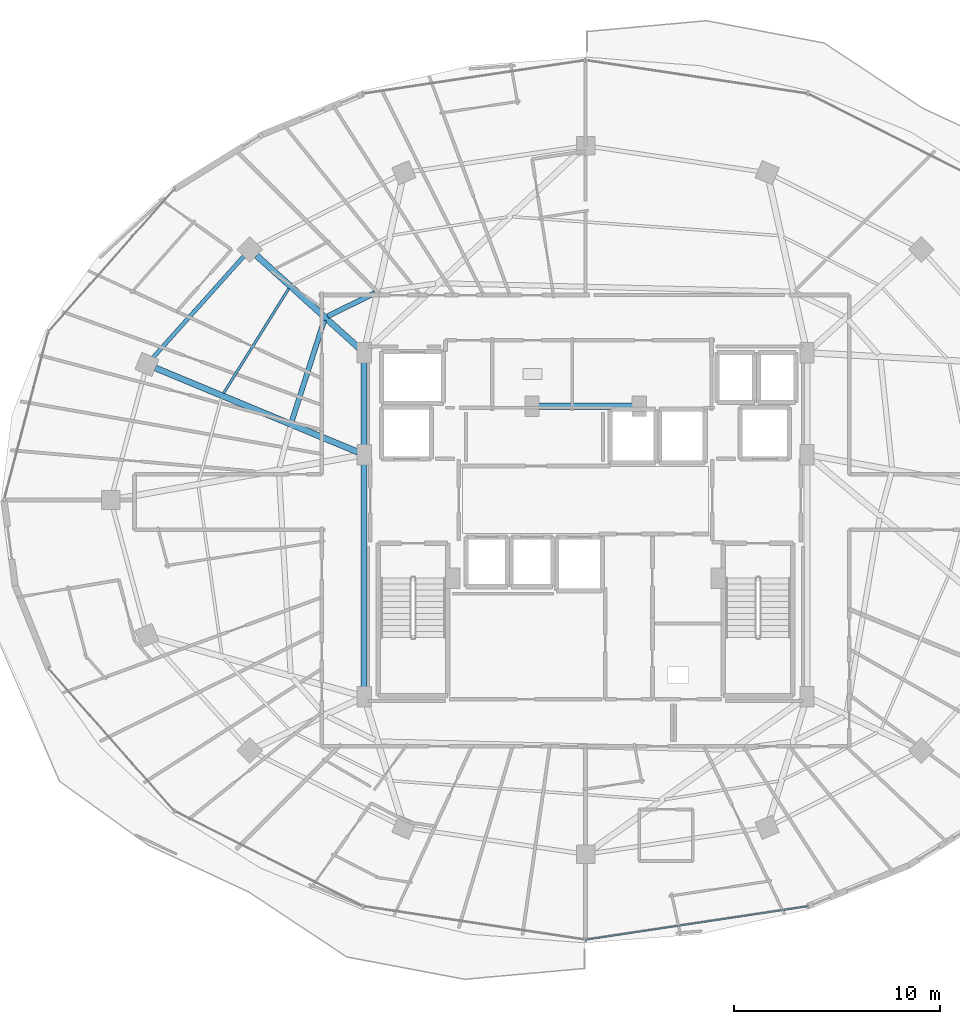
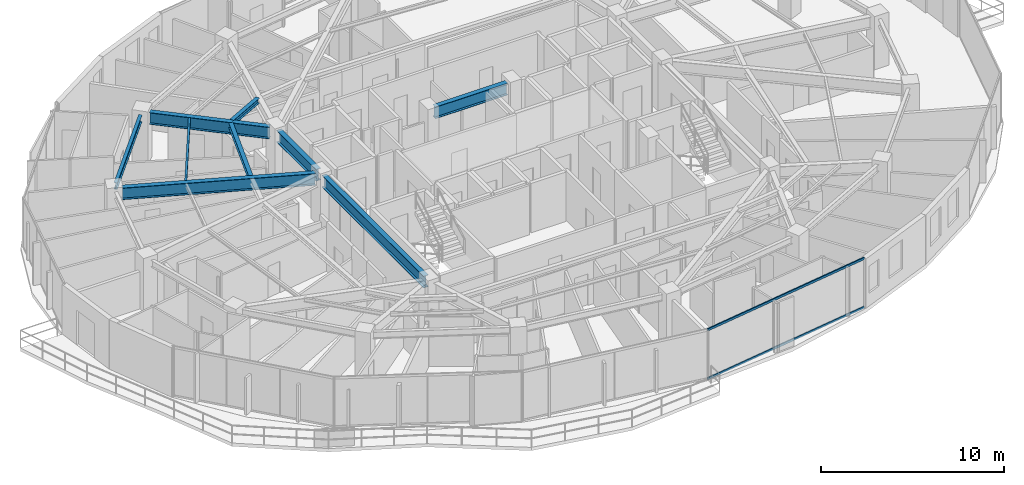
# One storey, part 10 of 32: 9 beams, 2 members, 1 element without a shape of its own.
"""IFC4 building model written with IfcOpenShell, lengths in metres."""

from ifc_helpers import new_model, si_unit, direction, frame, origin, origin_2d, place, context, subcontext, project, spatial, hollow_rectangle, i_section, extrude, material, material_profile, profile_set, type_object, element, aggregate, save


model = new_model("IFC4")

# Units and contexts
model_context = context("Model", 3, precision=1e-05, world=origin(), true_north=direction((0.0, 1.0)))
body_context = subcontext(model_context, "Body", "Model", "MODEL_VIEW")
ifc_project = project(units=[si_unit("LENGTHUNIT", "METRE"), si_unit("AREAUNIT", "SQUARE_METRE"), si_unit("VOLUMEUNIT", "CUBIC_METRE"), si_unit("PLANEANGLEUNIT", "RADIAN"), si_unit("MASSUNIT", "GRAM", prefix="KILO")], contexts=[model_context])

# Site, building, storey
site_placement = place(None, origin())
site = spatial("IfcSite", under=ifc_project, at=site_placement, CompositionType="ELEMENT")
building_placement = place(site_placement, origin())
building = spatial("IfcBuilding", under=site, at=building_placement, Name="Vorneva Point Tower", CompositionType="ELEMENT")
storey_placement = place(building_placement, frame((0.0, 0.0, 207.199951171875)))
storey = spatial("IfcBuildingStorey", under=building, at=storey_placement, Name="L56", CompositionType="ELEMENT", Elevation=207.199951171875)

# Beams
ifc_material_1 = material(Name="Steel S355", Category="steel")
ifc_material_profile_1 = material_profile(ifc_material_1, i_section(OverallWidth=0.300048828125, OverallDepth=0.7880859375, WebThickness=0.014404296875, FlangeThickness=0.02197265625, at=origin_2d()), Name="80Sh1")
ifc_profile_set_1 = profile_set([ifc_material_profile_1], Name="Steel S355")
beam_type_1 = type_object("IfcBeamType", Name="BM-GRD-80Sh1", PredefinedType="USERDEFINED", material=ifc_profile_set_1)
beam_1_placement = place(storey_placement, frame((22.026123046875, 37.86865234375, 2.89599609375), z_axis=(0.742089778537, -0.670300500217, 0.0), x_axis=(0.670300500217, 0.742089778537, 0.0)))
element("IfcBeam", 1, at=beam_1_placement, inside=storey, type_object=beam_type_1, Name="L56 Radial Primary Girder 07", ObjectType="GIRDER", PredefinedType="USERDEFINED", context=body_context, shape_type="SweptSolid", body=[
    extrude(i_section(OverallWidth=0.300048828125, OverallDepth=0.7880859375, WebThickness=0.014404296875, FlangeThickness=0.02197265625, at=origin_2d()), origin(), (0.0, 0.0, 1.0), 6.699462890625),
])
beam_2_placement = place(storey_placement, frame((17.109130859375, 32.4140625, 2.89599609375), z_axis=(0.923445067159, -0.383730645035, 0.0), x_axis=(0.383730645035, 0.923445067159, 0.0)))
element("IfcBeam", 2, at=beam_2_placement, inside=storey, type_object=beam_type_1, Name="L56 Radial Primary Girder 08", ObjectType="GIRDER", PredefinedType="USERDEFINED", context=body_context, shape_type="SweptSolid", body=[
    extrude(i_section(OverallWidth=0.300048828125, OverallDepth=0.7880859375, WebThickness=0.014404296875, FlangeThickness=0.02197265625, at=origin_2d()), origin(), (0.0, 0.0, 1.0), 10.6416015625),
])
beam_3_placement = place(storey_placement, frame((27.25, 16.77001953125, 2.89599609375), z_axis=(0.0, 1.0, 0.0), x_axis=(-1.0, 0.0, 0.0)))
element("IfcBeam", 3, at=beam_3_placement, inside=storey, type_object=beam_type_1, Name="L56 Core Tie Girder CT1", ObjectType="GIRDER", PredefinedType="USERDEFINED", context=body_context, shape_type="SweptSolid", body=[
    extrude(i_section(OverallWidth=0.300048828125, OverallDepth=0.7880859375, WebThickness=0.014404296875, FlangeThickness=0.02197265625, at=origin_2d()), origin(), (0.0, 0.0, 1.0), 11.10986328125),
])
beam_4_placement = place(storey_placement, frame((27.25, 28.52001953125, 2.89599609375), z_axis=(0.0, 1.0, 0.0), x_axis=(-1.0, 0.0, 0.0)))
element("IfcBeam", 4, at=beam_4_placement, inside=storey, type_object=beam_type_1, Name="L56 Core Tie Girder CT2", ObjectType="GIRDER", PredefinedType="USERDEFINED", context=body_context, shape_type="SweptSolid", body=[
    extrude(i_section(OverallWidth=0.300048828125, OverallDepth=0.7880859375, WebThickness=0.014404296875, FlangeThickness=0.02197265625, at=origin_2d()), origin(), (0.0, 0.0, 1.0), 4.31005859375),
])
beam_5_placement = place(storey_placement, frame((35.719970703125, 30.550048828125, 2.89599609375), z_axis=(1.0, 0.0, 0.0), x_axis=(0.0, 1.0, 0.0)))
element("IfcBeam", 5, at=beam_5_placement, inside=storey, type_object=beam_type_1, Name="L56 Core Tie Girder CT8", ObjectType="GIRDER", PredefinedType="USERDEFINED", context=body_context, shape_type="SweptSolid", body=[
    extrude(i_section(OverallWidth=0.300048828125, OverallDepth=0.7880859375, WebThickness=0.014404296875, FlangeThickness=0.02197265625, at=origin_2d()), origin(), (0.0, 0.0, 1.0), 4.56005859375),
])
ifc_material_profile_2 = material_profile(ifc_material_1, i_section(OverallWidth=0.1240234375, OverallDepth=0.248046875, WebThickness=0.0048828125, FlangeThickness=0.008056640625, at=origin_2d()), Name="25B1")
ifc_profile_set_2 = profile_set([ifc_material_profile_2], Name="Steel S355")
beam_type_2 = type_object("IfcBeamType", Name="BM-JST-25B1", PredefinedType="JOIST", material=ifc_profile_set_2)
beam_6_placement = place(storey_placement, frame((23.59375, 36.26953125, 3.166015625), z_axis=(-0.528797190542, -0.848748214298, 0.0), x_axis=(0.848748214298, -0.528797190542, 0.0)))
element("IfcBeam", 6, at=beam_6_placement, inside=storey, type_object=beam_type_2, Name="L56 Secondary Floor Beam 1.07", PredefinedType="JOIST", context=body_context, shape_type="SweptSolid", body=[
    extrude(i_section(OverallWidth=0.1240234375, OverallDepth=0.248046875, WebThickness=0.0048828125, FlangeThickness=0.008056640625, at=origin_2d()), origin(), (0.0, 0.0, 1.0), 5.9921875),
])
ifc_material_profile_3 = material_profile(ifc_material_1, i_section(OverallWidth=0.2490234375, OverallDepth=0.333984375, WebThickness=0.008056640625, FlangeThickness=0.010986328125, at=origin_2d()), Name="35Sh1")
ifc_profile_set_3 = profile_set([ifc_material_profile_3], Name="Steel S355")
beam_type_3 = type_object("IfcBeamType", Name="BM-SEC-35Sh1", PredefinedType="BEAM", material=ifc_profile_set_3)
beam_7_placement = place(storey_placement, frame((27.78076171875, 36.0546875, 3.123046875), z_axis=(-0.896926742139, -0.442179170965, 0.0), x_axis=(0.442179170965, -0.896926742139, 0.0)))
element("IfcBeam", 7, at=beam_7_placement, inside=storey, type_object=beam_type_3, Name="L56 Secondary Floor Beam 2.06", PredefinedType="BEAM", context=body_context, shape_type="SweptSolid", body=[
    extrude(i_section(OverallWidth=0.2490234375, OverallDepth=0.333984375, WebThickness=0.008056640625, FlangeThickness=0.010986328125, at=origin_2d()), origin(), (0.0, 0.0, 1.0), 2.564208984375),
])
beam_8_placement = place(storey_placement, frame((25.31494140625, 34.728515625, 3.123046875), z_axis=(-0.305746065021, -0.952113093978, 0.0), x_axis=(0.952113093978, -0.305746065021, 0.0)))
element("IfcBeam", 8, at=beam_8_placement, inside=storey, type_object=beam_type_3, Name="L56 Secondary Floor Beam 2.07", PredefinedType="BEAM", context=body_context, shape_type="SweptSolid", body=[
    extrude(i_section(OverallWidth=0.2490234375, OverallDepth=0.333984375, WebThickness=0.008056640625, FlangeThickness=0.010986328125, at=origin_2d()), origin(), (0.0, 0.0, 1.0), 5.166259765625),
])
ifc_material_profile_4 = material_profile(ifc_material_1, i_section(OverallWidth=0.198974609375, OverallDepth=0.446044921875, WebThickness=0.008056640625, FlangeThickness=0.011962890625, at=origin_2d()), Name="45B1")
ifc_profile_set_4 = profile_set([ifc_material_profile_4], Name="Steel S355")
beam_type_4 = type_object("IfcBeamType", Name="BM-SPN-45B1", PredefinedType="SPANDREL", material=ifc_profile_set_4)
beam_9_placement = place(storey_placement, frame((21.410888671875, 37.838134765625, 3.067138671875), z_axis=(-0.66706970547, -0.744995307397, 0.0), x_axis=(0.744995307397, -0.66706970547, 0.0)))
element("IfcBeam", 9, at=beam_9_placement, inside=storey, type_object=beam_type_4, Name="L56 Perimeter Spandrel Ring Beam 07", PredefinedType="SPANDREL", context=body_context, shape_type="SweptSolid", body=[
    extrude(i_section(OverallWidth=0.198974609375, OverallDepth=0.446044921875, WebThickness=0.008056640625, FlangeThickness=0.011962890625, at=origin_2d()), origin(), (0.0, 0.0, 1.0), 6.6201171875),
])

# Curtain wall, members
ifc_material_2 = material(Name="Pale anodised aluminium", Category="aluminium")
curtain_wall_type = type_object("IfcCurtainWallType", Name="CW-RES-SYS", PredefinedType="NOTDEFINED", material=ifc_material_2)
curtain_wall_placement = place(storey_placement, origin())
curtain_wall = element("IfcCurtainWall", 10, at=curtain_wall_placement, inside=storey, type_object=curtain_wall_type, Name="L56 Unitised Curtain Wall CW-L56-R03", PredefinedType="NOTDEFINED")
ifc_material_profile_5 = material_profile(ifc_material_2, hollow_rectangle(XDim=0.074951171875, YDim=0.14990234375, WallThickness=0.00390625, at=origin_2d()), Name="AL-TRN 150x75x4")
ifc_profile_set_5 = profile_set([ifc_material_profile_5], Name="Pale anodised aluminium")
member_type = type_object("IfcMemberType", Name="CW-TRN-150", PredefinedType="USERDEFINED", material=ifc_profile_set_5)
member_1_placement = place(storey_placement, frame((38.0, 4.64990234375, 0.02001953125), z_axis=(0.988872333273, 0.148766624239, 0.0), x_axis=(-0.148766624239, 0.988872333273, 0.0)))
member_1 = element("IfcMember", 11, at=member_1_placement, type_object=member_type, Name="CW-L56-R03 Transom 04.1", ObjectType="TRANSOM", PredefinedType="USERDEFINED", context=body_context, shape_type="SweptSolid", body=[
    extrude(hollow_rectangle(XDim=0.074951171875, YDim=0.14990234375, WallThickness=0.00390625, at=origin_2d()), origin(), (0.0, 0.0, 1.0), 10.9248046875),
])
member_2_placement = place(storey_placement, frame((38.0, 4.64990234375, 3.27001953125), z_axis=(0.988872333273, 0.148766624239, 0.0), x_axis=(-0.148766624239, 0.988872333273, 0.0)))
member_2 = element("IfcMember", 12, at=member_2_placement, type_object=member_type, Name="CW-L56-R03 Transom 04.2", ObjectType="TRANSOM", PredefinedType="USERDEFINED", context=body_context, shape_type="SweptSolid", body=[
    extrude(hollow_rectangle(XDim=0.074951171875, YDim=0.14990234375, WallThickness=0.00390625, at=origin_2d()), origin(), (0.0, 0.0, 1.0), 10.9248046875),
])
aggregate(curtain_wall, [member_1, member_2])

save(model, "model.ifc")
